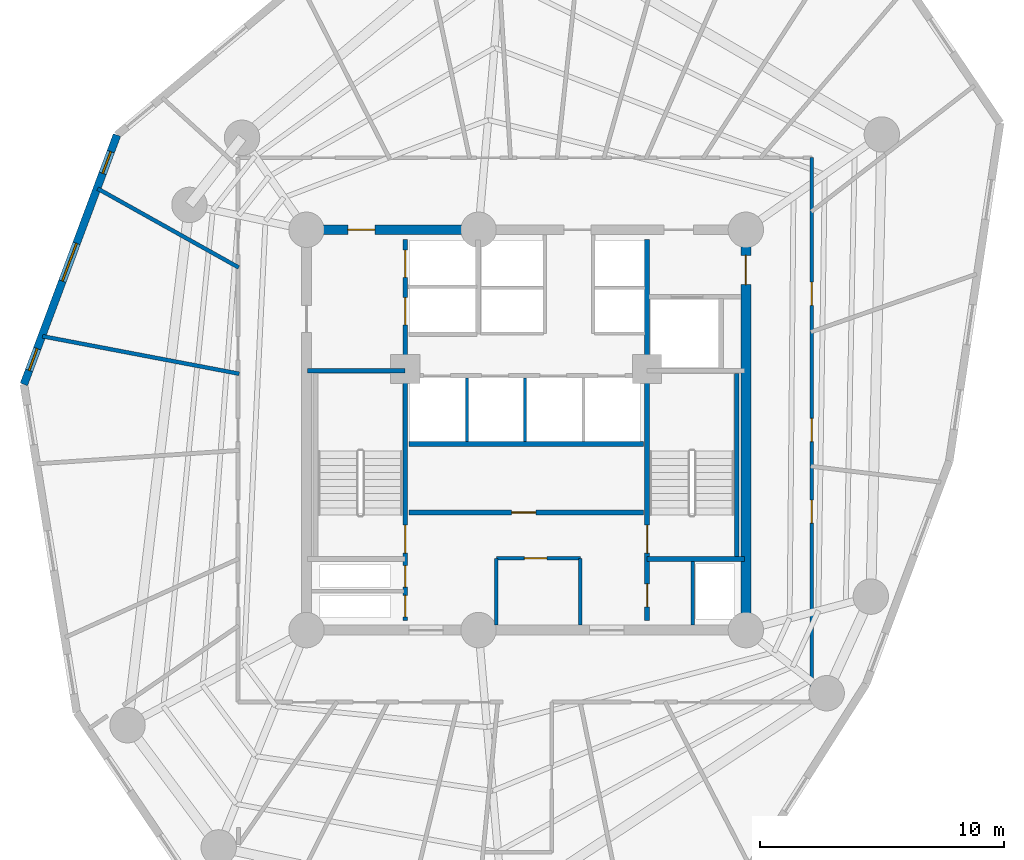
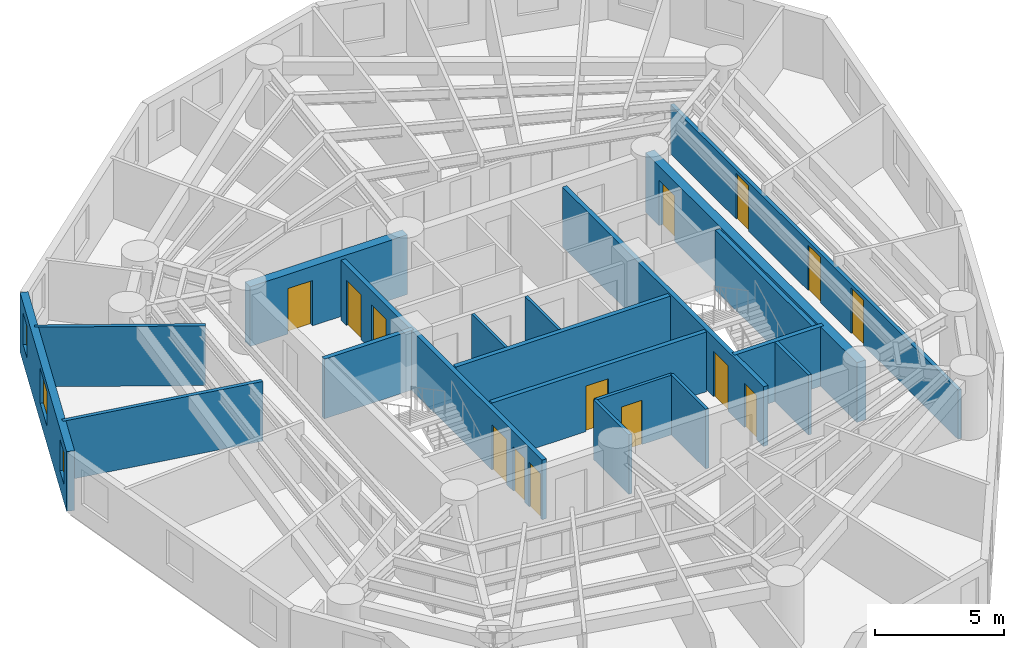
# One storey, part 4 of 7: 19 walls, 14 doors, 3 windows, 17 openings.
"""IFC4 building model written with IfcOpenShell, lengths in metres."""

import ifcopenshell
import ifcopenshell.guid

model = None  # the IFC model being written
_history = None  # IfcOwnerHistory: only IFC2X3 demands one
_inside = {}  # id of a spatial element -> (the spatial element, [elements in it])
_under = {}  # id of a project, library or spatial element -> (it, [spatial elements below it])
_declared = {}  # id of a project -> (the project, [libraries it declares])
_typed = {}  # id of a type object -> (the type object, [elements of that type])
_made_of = {}  # id of a material, layer set ... -> (it, [elements and type objects made of it])


def new_model(schema):
    """Start an empty IFC model of exactly this schema.

    Asked for "IFC4X3", IfcOpenShell would pick the latest addendum, in which some entities
    have other attributes; the version numbers below select the first issue.
    IFC2X3 requires an IfcOwnerHistory on every rooted entity: one is made here for all.
    """
    global model, _history
    if schema == "IFC4X3":
        model = ifcopenshell.file(schema_version=(4, 3, 0, 0))
    else:
        model = ifcopenshell.file(schema=schema)
    _inside.clear()
    _under.clear()
    _declared.clear()
    _typed.clear()
    _made_of.clear()
    _history = None
    if model.schema == "IFC2X3":
        org = make("IfcOrganization", Name="unknown")
        user = make(
            "IfcPersonAndOrganization",
            ThePerson=make("IfcPerson", FamilyName="unknown"),
            TheOrganization=org,
        )
        app = make(
            "IfcApplication",
            ApplicationDeveloper=org,
            Version="unknown",
            ApplicationFullName="unknown",
            ApplicationIdentifier="unknown",
        )
        _history = make(
            "IfcOwnerHistory",
            OwningUser=user,
            OwningApplication=app,
            ChangeAction="ADDED",
            CreationDate=0,
        )
    return model


def make(cls, **values):
    """One entity of the class cls with the attributes given. An attribute that is None is left unset."""
    return model.create_entity(
        cls, **{name: value for name, value in values.items() if value is not None}
    )


def rooted(cls, **values):
    """An entity with a GlobalId (a new one), such as an element, a storey or a relation."""
    return make(cls, GlobalId=ifcopenshell.guid.new(), OwnerHistory=_history, **values)


def si_unit(unit_type, name, prefix=None):
    """IfcSIUnit, for example si_unit("LENGTHUNIT", "METRE", prefix="MILLI")."""
    return make("IfcSIUnit", UnitType=unit_type, Prefix=prefix, Name=name)


def assignment(units):
    """IfcUnitAssignment: the units of a project."""
    return None if units is None else make("IfcUnitAssignment", Units=units)


def point(xyz):
    """IfcCartesianPoint."""
    return None if xyz is None else make("IfcCartesianPoint", Coordinates=xyz)


def direction(xyz):
    """IfcDirection."""
    return None if xyz is None else make("IfcDirection", DirectionRatios=xyz)


def frame(location, z_axis=None, x_axis=None):
    """IfcAxis2Placement3D, a coordinate frame: its origin and axes. An axis left out is left unset."""
    return make(
        "IfcAxis2Placement3D",
        Location=point(location),
        Axis=direction(z_axis),
        RefDirection=direction(x_axis),
    )


def frame_2d(location, x_axis=None):
    """IfcAxis2Placement2D, a coordinate frame in the plane: its origin and x axis."""
    return make(
        "IfcAxis2Placement2D", Location=point(location), RefDirection=direction(x_axis)
    )


def origin():
    """The frame at (0, 0, 0) with its axes left unset."""
    return frame((0.0, 0.0, 0.0))


def origin_with_axes():
    """The frame at (0, 0, 0) with the z axis (0, 0, 1) and the x axis (1, 0, 0) written out."""
    return frame((0.0, 0.0, 0.0), z_axis=(0.0, 0.0, 1.0), x_axis=(1.0, 0.0, 0.0))


def place(relative_to, where):
    """IfcLocalPlacement: puts the frame where relative to a parent placement (None: the world)."""
    return make(
        "IfcLocalPlacement", PlacementRelTo=relative_to, RelativePlacement=where
    )


def context(
    kind, dimensions, precision=None, world=None, true_north=None, identifier=None
):
    """IfcGeometricRepresentationContext, for example the 3D "Model" context."""
    return make(
        "IfcGeometricRepresentationContext",
        ContextIdentifier=identifier,
        ContextType=kind,
        CoordinateSpaceDimension=dimensions,
        Precision=precision,
        WorldCoordinateSystem=world,
        TrueNorth=true_north,
    )


def subcontext(parent, identifier, kind, view, scale=None):
    """IfcGeometricRepresentationSubContext, for example "Body" below "Model"."""
    return make(
        "IfcGeometricRepresentationSubContext",
        ContextIdentifier=identifier,
        ContextType=kind,
        ParentContext=parent,
        TargetScale=scale,
        TargetView=view,
    )


def project(units=None, contexts=None):
    """IfcProject with its units and contexts."""
    return rooted(
        "IfcProject",
        Name="project",
        RepresentationContexts=contexts,
        UnitsInContext=assignment(units),
    )


def spatial(cls, under=None, at=None, **own):
    """A site, building, storey or space (cls), placed at a placement, below another one or the project."""
    s = rooted(cls, ObjectPlacement=at, **own)
    if under is not None:
        _under.setdefault(under.id(), (under, []))[1].append(s)
    return s


def profile(cls, at=None, kind="AREA", **sizes):
    """A parametric profile (cls). Its sizes go by their IFC names, for example OverallWidth=200.0."""
    return make(cls, ProfileType=kind, Position=at, **sizes)


def rectangle(**sizes):
    """IfcRectangleProfileDef."""
    return profile("IfcRectangleProfileDef", **sizes)


def extrude(swept, where, along, depth):
    """IfcExtrudedAreaSolid: the profile swept, set in the frame where, extruded along a direction by depth."""
    return make(
        "IfcExtrudedAreaSolid",
        SweptArea=swept,
        Position=where,
        ExtrudedDirection=direction(along),
        Depth=depth,
    )


def shape(context_of_items, identifier, shape_type, items):
    """IfcShapeRepresentation: the items that make up one representation, for example the "Body"."""
    return make(
        "IfcShapeRepresentation",
        ContextOfItems=context_of_items,
        RepresentationIdentifier=identifier,
        RepresentationType=shape_type,
        Items=items,
    )


def source(mapping_origin, context_of_items, identifier, shape_type, items):
    """IfcRepresentationMap: a shape defined once, which mapped items show again and again."""
    return make(
        "IfcRepresentationMap",
        MappingOrigin=mapping_origin,
        MappedRepresentation=shape(context_of_items, identifier, shape_type, items),
    )


def transform(
    local_origin,
    x_axis=None,
    y_axis=None,
    z_axis=None,
    scale=None,
    scale2=None,
    scale3=None,
    uniform=True,
):
    """IfcCartesianTransformationOperator3D, or its non-uniform kind. x_axis, y_axis, z_axis: its Axis1, 2, 3."""
    if uniform:
        return make(
            "IfcCartesianTransformationOperator3D",
            Axis1=direction(x_axis),
            Axis2=direction(y_axis),
            LocalOrigin=point(local_origin),
            Scale=scale,
            Axis3=direction(z_axis),
        )
    return make(
        "IfcCartesianTransformationOperator3DnonUniform",
        Axis1=direction(x_axis),
        Axis2=direction(y_axis),
        LocalOrigin=point(local_origin),
        Scale=scale,
        Axis3=direction(z_axis),
        Scale2=scale2,
        Scale3=scale3,
    )


def mapped(mapping_source, mapping_target):
    """IfcMappedItem: shows the shape of a source again, moved by a transform."""
    return make(
        "IfcMappedItem", MappingSource=mapping_source, MappingTarget=mapping_target
    )


def material(Name=None, Category=None):
    """IfcMaterial."""
    return make("IfcMaterial", Name=Name, Category=Category)


def layer(
    of_material, thickness, ventilated=None, Name=None, Category=None, Priority=None
):
    """IfcMaterialLayer: one layer of a wall or slab, of a material (None: an air gap)."""
    return make(
        "IfcMaterialLayer",
        Material=of_material,
        LayerThickness=thickness,
        IsVentilated=ventilated,
        Name=Name,
        Category=Category,
        Priority=Priority,
    )


def layer_set(layers, Name=None):
    """IfcMaterialLayerSet."""
    return make("IfcMaterialLayerSet", MaterialLayers=layers, LayerSetName=Name)


def made_of(thing, what):
    """Note that an element or type object is made of a material, layer set ...; save() writes the relation."""
    if what is not None:
        _made_of.setdefault(what.id(), (what, []))[1].append(thing)
    return thing


def type_object(cls, material=None, **own):
    """A type object (cls), such as IfcWallType, which elements share."""
    return made_of(rooted(cls, **own), material)


def element(
    cls,
    number,
    at=None,
    inside=None,
    cuts=None,
    type_object=None,
    material=None,
    context=None,
    identifier="Body",
    shape_type=None,
    held_by="IfcProductDefinitionShape",
    body=None,
    shapes=None,
    **own,
):
    """One element of the class cls, such as IfcWall. Its Tag is "e" and its number.

    at: its placement. inside: the storey or other place that contains it. cuts: it is an
    opening in that element (IfcRelVoidsElement). A single representation is given by context,
    identifier, shape_type and body (its items); several are given by shapes. held_by: the class
    of the entity that holds the representations. save() writes the other relations.
    """
    e = rooted(cls, Tag="e%d" % number, ObjectPlacement=at, **own)
    if body is not None:
        shapes = [shape(context, identifier, shape_type, body)]
    if shapes is not None:
        e.Representation = make(held_by, Representations=shapes)
    if inside is not None:
        _inside.setdefault(inside.id(), (inside, []))[1].append(e)
    if cuts is not None:
        rooted(
            "IfcRelVoidsElement", RelatingBuildingElement=cuts, RelatedOpeningElement=e
        )
    if type_object is not None:
        _typed.setdefault(type_object.id(), (type_object, []))[1].append(e)
    return made_of(e, material)


def fill(opening, filler):
    """IfcRelFillsElement: the door or window that sits in an opening."""
    return rooted(
        "IfcRelFillsElement",
        RelatingOpeningElement=opening,
        RelatedBuildingElement=filler,
    )


def aggregate(whole, parts):
    """IfcRelAggregates: a whole, such as a stair, and the parts it consists of."""
    return rooted("IfcRelAggregates", RelatingObject=whole, RelatedObjects=parts)


def save(model, path):
    """Write the relations noted so far, then the file.

    IfcRelAggregates (storeys below a building ...), IfcRelContainedInSpatialStructure (elements
    in a storey), IfcRelDefinesByType, IfcRelAssociatesMaterial and IfcRelDeclares: one each for
    every whole, place, type object, material and project.
    """
    for whole, parts in _under.values():
        aggregate(whole, parts)
    for where, things in _inside.values():
        rooted(
            "IfcRelContainedInSpatialStructure",
            RelatedElements=things,
            RelatingStructure=where,
        )
    for kind, things in _typed.values():
        rooted("IfcRelDefinesByType", RelatedObjects=things, RelatingType=kind)
    for what, things in _made_of.values():
        rooted("IfcRelAssociatesMaterial", RelatedObjects=things, RelatingMaterial=what)
    for by, libraries in _declared.values():
        rooted("IfcRelDeclares", RelatingContext=by, RelatedDefinitions=libraries)
    model.write(path)


model = new_model("IFC4")

# Units and contexts
model_context = context("Model", 3, precision=1e-05, world=origin(), true_north=direction((0.0, 1.0)))
body_context = subcontext(model_context, "Body", "Model", "MODEL_VIEW")
ifc_project = project(units=[si_unit("LENGTHUNIT", "METRE"), si_unit("AREAUNIT", "SQUARE_METRE"), si_unit("VOLUMEUNIT", "CUBIC_METRE"), si_unit("PLANEANGLEUNIT", "RADIAN"), si_unit("MASSUNIT", "GRAM", prefix="KILO")], contexts=[model_context])

# Site, building, storey
site_placement = place(None, origin())
site = spatial("IfcSite", under=ifc_project, at=site_placement, CompositionType="ELEMENT")
building_placement = place(site_placement, origin())
building = spatial("IfcBuilding", under=site, at=building_placement, Name="Karkom Vertical University and Central Library", CompositionType="ELEMENT")
storey_placement = place(building_placement, frame((0.0, 0.0, 135.85009765625)))
storey = spatial("IfcBuildingStorey", under=building, at=storey_placement, Name="L38", CompositionType="ELEMENT", Elevation=135.85009765625)

# Wall, openings, windows
ifc_material_1 = material(Name="Brick-faced precast concrete C45/55", Category="masonry")
ifc_layer_1 = layer(ifc_material_1, 0.320068359375)
ifc_layer_set_1 = layer_set([ifc_layer_1], Name="Brick-faced precast concrete C45/55")
wall_type_1 = type_object("IfcWallType", Name="ENV-WL-BRK-320", PredefinedType="SOLIDWALL", material=ifc_layer_set_1)
wall_1_placement = place(storey_placement, frame((11.73876953125, 38.5791015625, 0.0), z_axis=(0.0, 0.0, 1.0), x_axis=(-0.349891213855, -0.936790338586, 0.0)))
wall_1 = element("IfcWall", 1, at=wall_1_placement, inside=storey, type_object=wall_type_1, Name="Level 38 Brick-Faced Precast Facade Wall 01", PredefinedType="SOLIDWALL", context=body_context, shape_type="SweptSolid", body=[
    extrude(rectangle(XDim=10.902587890625, YDim=0.320068359375, at=frame_2d((5.451171875, 0.0))), origin(), (0.0, 0.0, 1.0), 2.824951171875),
])
opening_1_placement = place(wall_1_placement, frame((0.723876953125, 0.0, 0.85009765625)))
opening_1 = element("IfcOpeningElement", 2, at=opening_1_placement, cuts=wall_1, Name="Opening WN-12", PredefinedType="OPENING", context=body_context, shape_type="SweptSolid", body=[
    extrude(rectangle(XDim=0.949951171875, YDim=1.5, at=frame_2d((0.47509765625, 0.75))), frame((0.0, 0.169921875, 0.0), z_axis=(0.0, -1.0, 0.0), x_axis=(1.0, 0.0, 0.0)), (0.0, 0.0, 1.0), 0.340087890625),
])
opening_2_placement = place(wall_1_placement, frame((4.735595703125, 0.0, 0.85009765625)))
opening_2 = element("IfcOpeningElement", 3, at=opening_2_placement, cuts=wall_1, Name="Opening WN-06", PredefinedType="OPENING", context=body_context, shape_type="SweptSolid", body=[
    extrude(rectangle(XDim=1.64990234375, YDim=1.64990234375, at=frame_2d((0.824951171875, 0.824951171875))), frame((0.0, 0.169921875, 0.0), z_axis=(0.0, -1.0, 0.0), x_axis=(1.0, 0.0, 0.0)), (0.0, 0.0, 1.0), 0.340087890625),
])
opening_3_placement = place(wall_1_placement, frame((9.337890625, 0.0, 0.85009765625)))
opening_3 = element("IfcOpeningElement", 4, at=opening_3_placement, cuts=wall_1, Name="Opening WN-12", PredefinedType="OPENING", context=body_context, shape_type="SweptSolid", body=[
    extrude(rectangle(XDim=0.949951171875, YDim=1.5, at=frame_2d((0.47509765625, 0.75))), frame((0.0, 0.169921875, 0.0), z_axis=(0.0, -1.0, 0.0), x_axis=(1.0, 0.0, 0.0)), (0.0, 0.0, 1.0), 0.340087890625),
])
ifc_material_2 = material(Name="Aluminium thermal-break frame with solar-control IGU", Category="aluminium")
window_type_1 = type_object("IfcWindowType", Name="ENV-WIN-WN-06", PartitioningType="SINGLE_PANEL", PredefinedType="WINDOW", material=ifc_material_2)
shared_shape_1 = source(origin_with_axes(), body_context, "Body", "SweptSolid", [
    extrude(rectangle(XDim=1.64990234375, YDim=1.64990234375, at=frame_2d((0.824951171875, 0.824951171875))), frame((0.0, 0.030029296875, 0.0), z_axis=(0.0, -1.0, 0.0), x_axis=(1.0, 0.0, 0.0)), (0.0, 0.0, 1.0), 0.06005859375),
])
window_1_placement = place(opening_2_placement, origin())
window_1 = element("IfcWindow", 5, at=window_1_placement, inside=storey, type_object=window_type_1, Name="Level 38 Punched Window 1.2", OverallHeight=1.64990234375, OverallWidth=1.64990234375, PartitioningType="SINGLE_PANEL", PredefinedType="WINDOW", context=body_context, shape_type="MappedRepresentation", body=[
    mapped(shared_shape_1, transform((0.0, 0.0, 0.0), scale=1.0)),
])
fill(opening_2, window_1)
window_type_2 = type_object("IfcWindowType", Name="ENV-WIN-WN-12", PartitioningType="SINGLE_PANEL", PredefinedType="WINDOW", material=ifc_material_2)
shared_shape_2 = source(origin_with_axes(), body_context, "Body", "SweptSolid", [
    extrude(rectangle(XDim=0.949951171875, YDim=1.5, at=frame_2d((0.47509765625, 0.75))), frame((0.0, 0.030029296875, 0.0), z_axis=(0.0, -1.0, 0.0), x_axis=(1.0, 0.0, 0.0)), (0.0, 0.0, 1.0), 0.06005859375),
])
window_2_placement = place(opening_1_placement, origin())
window_2 = element("IfcWindow", 6, at=window_2_placement, inside=storey, type_object=window_type_2, Name="Level 38 Punched Window 1.1", OverallHeight=1.5, OverallWidth=0.949951171875, PartitioningType="SINGLE_PANEL", PredefinedType="WINDOW", context=body_context, shape_type="MappedRepresentation", body=[
    mapped(shared_shape_2, transform((0.0, 0.0, 0.0), scale=1.0)),
])
fill(opening_1, window_2)
window_3_placement = place(opening_3_placement, origin())
window_3 = element("IfcWindow", 7, at=window_3_placement, inside=storey, type_object=window_type_2, Name="Level 38 Punched Window 1.3", OverallHeight=1.5, OverallWidth=0.949951171875, PartitioningType="SINGLE_PANEL", PredefinedType="WINDOW", context=body_context, shape_type="MappedRepresentation", body=[
    mapped(shared_shape_2, transform((0.0, 0.0, 0.0), scale=1.0)),
])
fill(opening_3, window_3)

# Wall, openings, doors
ifc_material_3 = material(Name="Insulated metal-stud drywall 160mm", Category="gypsum")
ifc_layer_2 = layer(ifc_material_3, 0.159912109375)
ifc_layer_set_2 = layer_set([ifc_layer_2], Name="Insulated metal-stud drywall 160mm")
wall_type_2 = type_object("IfcWallType", Name="INT-WL-COR-160", PredefinedType="PARTITIONING", material=ifc_layer_set_2)
wall_2_placement = place(storey_placement, frame((40.199951171875, 37.64990234375, 0.0), z_axis=(0.0, 0.0, 1.0), x_axis=(0.0, -1.0, 0.0)))
wall_2 = element("IfcWall", 8, at=wall_2_placement, inside=storey, type_object=wall_type_2, Name="Level 38 Interior Partition Wall L38-CORW-CW-004", PredefinedType="PARTITIONING", context=body_context, shape_type="SweptSolid", body=[
    extrude(rectangle(XDim=22.2998046875, YDim=0.159912109375, at=frame_2d((11.14990234375, 0.0))), origin(), (0.0, 0.0, 1.0), 2.324951171875),
])
opening_4_placement = place(wall_2_placement, frame((14.02001953125, 0.0, 0.0)))
opening_4 = element("IfcOpeningElement", 9, at=opening_4_placement, cuts=wall_2, Name="Opening D-RM1", PredefinedType="OPENING", context=body_context, shape_type="SweptSolid", body=[
    extrude(rectangle(XDim=0.949951171875, YDim=2.14990234375, at=frame_2d((0.47509765625, 1.074951171875))), frame((0.0, 0.08984375, 0.0), z_axis=(0.0, -1.0, 0.0), x_axis=(1.0, 0.0, 0.0)), (0.0, 0.0, 1.0), 0.179931640625),
])
opening_5_placement = place(wall_2_placement, frame((10.675048828125, 0.0, 0.0)))
opening_5 = element("IfcOpeningElement", 10, at=opening_5_placement, cuts=wall_2, Name="Opening D-RM1", PredefinedType="OPENING", context=body_context, shape_type="SweptSolid", body=[
    extrude(rectangle(XDim=0.949951171875, YDim=2.14990234375, at=frame_2d((0.47509765625, 1.074951171875))), frame((0.0, 0.08984375, 0.0), z_axis=(0.0, -1.0, 0.0), x_axis=(1.0, 0.0, 0.0)), (0.0, 0.0, 1.0), 0.179931640625),
])
opening_6_placement = place(wall_2_placement, frame((5.10009765625, 0.0, 0.0)))
opening_6 = element("IfcOpeningElement", 11, at=opening_6_placement, cuts=wall_2, Name="Opening D-RM1", PredefinedType="OPENING", context=body_context, shape_type="SweptSolid", body=[
    extrude(rectangle(XDim=0.949951171875, YDim=2.14990234375, at=frame_2d((0.47509765625, 1.074951171875))), frame((0.0, 0.08984375, 0.0), z_axis=(0.0, -1.0, 0.0), x_axis=(1.0, 0.0, 0.0)), (0.0, 0.0, 1.0), 0.179931640625),
])
ifc_material_4 = material(Name="Solid-core oak veneer door", Category="wood")
door_type_1 = type_object("IfcDoorType", Name="INT-DR-RM1", OperationType="NOTDEFINED", PredefinedType="DOOR", material=ifc_material_4)
shared_shape_3 = source(origin_with_axes(), body_context, "Body", "SweptSolid", [
    extrude(rectangle(XDim=0.949951171875, YDim=2.14990234375, at=frame_2d((0.47509765625, 1.074951171875))), frame((0.0, 0.02490234375, 0.0), z_axis=(0.0, -1.0, 0.0), x_axis=(1.0, 0.0, 0.0)), (0.0, 0.0, 1.0), 0.050048828125),
])
door_1_placement = place(opening_4_placement, origin())
door_1 = element("IfcDoor", 12, at=door_1_placement, inside=storey, type_object=door_type_1, Name="Level 38 Room Entry Door 090", OperationType="SINGLE_SWING_RIGHT", OverallHeight=2.14990234375, OverallWidth=0.949951171875, PredefinedType="DOOR", context=body_context, shape_type="MappedRepresentation", body=[
    mapped(shared_shape_3, transform((0.0, 0.0, 0.0), scale=1.0)),
])
fill(opening_4, door_1)
door_2_placement = place(opening_5_placement, origin())
door_2 = element("IfcDoor", 13, at=door_2_placement, inside=storey, type_object=door_type_1, Name="Level 38 Room Entry Door 100", OperationType="SINGLE_SWING_LEFT", OverallHeight=2.14990234375, OverallWidth=0.949951171875, PredefinedType="DOOR", context=body_context, shape_type="MappedRepresentation", body=[
    mapped(shared_shape_3, transform((0.0, 0.0, 0.0), scale=1.0)),
])
fill(opening_5, door_2)
door_3_placement = place(opening_6_placement, origin())
door_3 = element("IfcDoor", 14, at=door_3_placement, inside=storey, type_object=door_type_1, Name="Level 38 Room Entry Door 110", OperationType="SINGLE_SWING_RIGHT", OverallHeight=2.14990234375, OverallWidth=0.949951171875, PredefinedType="DOOR", context=body_context, shape_type="MappedRepresentation", body=[
    mapped(shared_shape_3, transform((0.0, 0.0, 0.0), scale=1.0)),
])
fill(opening_6, door_3)

# Walls
wall_3_placement = place(storey_placement, frame((16.744140625, 28.80126953125, 0.0), z_axis=(0.0, 0.0, 1.0), x_axis=(-0.982325015024, 0.187183238719, 0.0)))
element("IfcWall", 15, at=wall_3_placement, inside=storey, type_object=wall_type_2, Name="Level 38 Interior Partition Wall L38-PW-027", PredefinedType="PARTITIONING", context=body_context, shape_type="SweptSolid", body=[
    extrude(rectangle(XDim=8.201416015625, YDim=0.159912109375, at=frame_2d((4.1005859375, 0.0))), origin(), (0.0, 0.0, 1.0), 2.824951171875),
])
wall_4_placement = place(storey_placement, frame((16.726318359375, 33.1533203125, 0.0), z_axis=(0.0, 0.0, 1.0), x_axis=(-0.87280260427, 0.488073369464, 0.0)))
element("IfcWall", 16, at=wall_4_placement, inside=storey, type_object=wall_type_2, Name="Level 38 Interior Partition Wall L38-PW-026", PredefinedType="PARTITIONING", context=body_context, shape_type="SweptSolid", body=[
    extrude(rectangle(XDim=6.621826171875, YDim=0.159912109375, at=frame_2d((3.31103515625, 0.0))), origin(), (0.0, 0.0, 1.0), 2.824951171875),
])
ifc_material_5 = material(Name="Moisture-resistant drywall 120mm", Category="gypsum")
ifc_layer_3 = layer(ifc_material_5, 0.1201171875)
ifc_layer_set_3 = layer_set([ifc_layer_3], Name="Moisture-resistant drywall 120mm")
wall_type_3 = type_object("IfcWallType", Name="INT-WL-INT-120H", PredefinedType="PARTITIONING", material=ifc_layer_set_3)
for number, where, z_axis, x_axis, name in (
    (17, (26.080078125, 26.02001953125, 0.0), (0.0, 0.0, 1.0), (0.0, 1.0, 0.0), "Level 38 Interior Partition Wall L38-CW-PM-DIV1"),
    (18, (28.4599609375, 26.02001953125, 0.0), (0.0, 0.0, 1.0), (0.0, 1.0, 0.0), "Level 38 Interior Partition Wall L38-CW-PM-DIV2"),
):
    element("IfcWall", number, at=place(storey_placement, frame(where, z_axis=z_axis, x_axis=x_axis)), inside=storey, type_object=wall_type_3, Name=name, PredefinedType="PARTITIONING", context=body_context, shape_type="SweptSolid", body=[
        extrude(rectangle(XDim=2.60009765625, YDim=0.1201171875, at=frame_2d((1.300048828125, 0.0))), origin(), (0.0, 0.0, 1.0), 2.824951171875),
    ])

# Wall, opening, door
ifc_material_6 = material(Name="Metal-stud gypsum partition 140mm", Category="gypsum")
ifc_layer_4 = layer(ifc_material_6, 0.139892578125)
ifc_layer_set_4 = layer_set([ifc_layer_4], Name="Metal-stud gypsum partition 140mm")
wall_type_4 = type_object("IfcWallType", Name="INT-WL-SUB-140", PredefinedType="PARTITIONING", material=ifc_layer_set_4)
wall_5_placement = place(storey_placement, frame((27.280029296875, 21.239990234375, 0.0), z_axis=(0.0, 0.0, 1.0), x_axis=(1.0, 0.0, 0.0)))
wall_5 = element("IfcWall", 19, at=wall_5_placement, inside=storey, type_object=wall_type_4, Name="Level 38 Interior Partition Wall L38-CW-KBAY-N", PredefinedType="PARTITIONING", context=body_context, shape_type="SweptSolid", body=[
    extrude(rectangle(XDim=3.43994140625, YDim=0.139892578125, at=frame_2d((1.719970703125, 0.0))), origin(), (0.0, 0.0, 1.0), 2.824951171875),
])
opening_7_placement = place(wall_5_placement, frame((1.14990234375, 0.0, 0.0)))
opening_7 = element("IfcOpeningElement", 20, at=opening_7_placement, cuts=wall_5, Name="Opening D-SVC1", PredefinedType="OPENING", context=body_context, shape_type="SweptSolid", body=[
    extrude(rectangle(XDim=0.919921875, YDim=2.10009765625, at=frame_2d((0.4599609375, 1.050048828125))), frame((0.0, 0.080078125, 0.0), z_axis=(0.0, -1.0, 0.0), x_axis=(1.0, 0.0, 0.0)), (0.0, 0.0, 1.0), 0.159912109375),
])
ifc_material_7 = material(Name="Painted timber service door", Category="wood")
door_type_2 = type_object("IfcDoorType", Name="INT-DR-SVC1", OperationType="NOTDEFINED", PredefinedType="DOOR", material=ifc_material_7)
shared_shape_4 = source(origin_with_axes(), body_context, "Body", "SweptSolid", [
    extrude(rectangle(XDim=0.919921875, YDim=2.10009765625, at=frame_2d((0.4599609375, 1.050048828125))), frame((0.0, 0.02490234375, 0.0), z_axis=(0.0, -1.0, 0.0), x_axis=(1.0, 0.0, 0.0)), (0.0, 0.0, 1.0), 0.050048828125),
])
door_4_placement = place(opening_7_placement, origin())
door_4 = element("IfcDoor", 21, at=door_4_placement, inside=storey, type_object=door_type_2, Name="Level 38 Comms Room Door", OperationType="SINGLE_SWING_RIGHT", OverallHeight=2.10009765625, OverallWidth=0.919921875, PredefinedType="DOOR", context=body_context, shape_type="MappedRepresentation", body=[
    mapped(shared_shape_4, transform((0.0, 0.0, 0.0), scale=1.0)),
])
fill(opening_7, door_4)

# Walls
for number, where, z_axis, x_axis, name in (
    (22, (27.280029296875, 18.507080078125, 0.0), (0.0, 0.0, 1.0), (0.0, 1.0, 0.0), "Level 38 Interior Partition Wall L38-CW-KBAY-W"),
    (23, (30.719970703125, 18.507080078125, 0.0), (0.0, 0.0, 1.0), (0.0, 1.0, 0.0), "Level 38 Interior Partition Wall L38-CW-KBAY-E"),
):
    element("IfcWall", number, at=place(storey_placement, frame(where, z_axis=z_axis, x_axis=x_axis)), inside=storey, type_object=wall_type_4, Name=name, PredefinedType="PARTITIONING", context=body_context, shape_type="SweptSolid", body=[
        extrude(rectangle(XDim=2.73291015625, YDim=0.139892578125, at=frame_2d((1.366455078125, 0.0))), origin(), (0.0, 0.0, 1.0), 2.824951171875),
    ])
ifc_layer_5 = layer(ifc_material_6, 0.139892578125)
ifc_layer_set_5 = layer_set([ifc_layer_5], Name="Metal-stud gypsum partition 140mm")
wall_type_5 = type_object("IfcWallType", Name="INT-WL-SUB-140H", PredefinedType="PARTITIONING", material=ifc_layer_set_5)
wall_6_placement = place(storey_placement, frame((35.320068359375, 18.507080078125, 0.0), z_axis=(0.0, 0.0, 1.0), x_axis=(0.0, 1.0, 0.0)))
element("IfcWall", 24, at=wall_6_placement, inside=storey, type_object=wall_type_5, Name="Level 38 Interior Partition Wall L38-CW-RIS-E", PredefinedType="PARTITIONING", context=body_context, shape_type="SweptSolid", body=[
    extrude(rectangle(XDim=2.603759765625, YDim=0.139892578125, at=frame_2d((1.3017578125, 0.0))), origin(), (0.0, 0.0, 1.0), 2.824951171875),
])

# Wall, opening, door
ifc_material_8 = material(Name="Concrete C50/60", Category="concrete")
ifc_layer_6 = layer(ifc_material_8, 0.39990234375)
ifc_layer_set_6 = layer_set([ifc_layer_6], Name="Concrete C50/60")
wall_type_6 = type_object("IfcWallType", Name="STR-WL-CW-400", PredefinedType="SHEAR", material=ifc_layer_set_6)
wall_7_placement = place(storey_placement, frame((37.5, 18.300048828125, 0.0), z_axis=(0.0, 0.0, 1.0), x_axis=(0.0, 1.0, 0.0)))
wall_7 = element("IfcWall", 25, at=wall_7_placement, inside=storey, type_object=wall_type_6, Name="Level 38 Central Core Shear Wall EW", PredefinedType="SHEAR", context=body_context, shape_type="SweptSolid", body=[
    extrude(rectangle(XDim=16.39990234375, YDim=0.39990234375, at=frame_2d((8.199951171875, 0.0))), origin(), (0.0, 0.0, 1.0), 2.824951171875),
])
opening_8_placement = place(wall_7_placement, frame((14.14990234375, 0.0, 0.0)))
opening_8 = element("IfcOpeningElement", 26, at=opening_8_placement, cuts=wall_7, Name="Opening FD-SUB1", PredefinedType="OPENING", context=body_context, shape_type="SweptSolid", body=[
    extrude(rectangle(XDim=1.199951171875, YDim=2.14990234375, at=frame_2d((0.60009765625, 1.074951171875))), frame((0.0, 0.2099609375, 0.0), z_axis=(0.0, -1.0, 0.0), x_axis=(1.0, 0.0, 0.0)), (0.0, 0.0, 1.0), 0.419921875),
])
ifc_material_9 = material(Name="Painted steel fire door", Category="steel")
door_type_3 = type_object("IfcDoorType", Name="INT-DR-SUB1", OperationType="NOTDEFINED", PredefinedType="DOOR", material=ifc_material_9)
shared_shape_5 = source(origin_with_axes(), body_context, "Body", "SweptSolid", [
    extrude(rectangle(XDim=1.199951171875, YDim=2.14990234375, at=frame_2d((0.60009765625, 1.074951171875))), frame((0.0, 0.02490234375, 0.0), z_axis=(0.0, -1.0, 0.0), x_axis=(1.0, 0.0, 0.0)), (0.0, 0.0, 1.0), 0.050048828125),
])
door_5_placement = place(opening_8_placement, origin())
door_5 = element("IfcDoor", 27, at=door_5_placement, inside=storey, type_object=door_type_3, Name="Level 38 East Corridor Service Lobby Door", OperationType="SINGLE_SWING_LEFT", OverallHeight=2.14990234375, OverallWidth=1.199951171875, PredefinedType="DOOR", context=body_context, shape_type="MappedRepresentation", body=[
    mapped(shared_shape_5, transform((0.0, 0.0, 0.0), scale=1.0)),
])
fill(opening_8, door_5)

wall_8_placement = place(storey_placement, frame((26.550048828125, 34.699951171875, 0.0), z_axis=(0.0, 0.0, 1.0), x_axis=(-1.0, 0.0, 0.0)))
wall_8 = element("IfcWall", 28, at=wall_8_placement, inside=storey, type_object=wall_type_6, Name="Level 38 Central Core Shear Wall NW2", PredefinedType="SHEAR", context=body_context, shape_type="SweptSolid", body=[
    extrude(rectangle(XDim=7.050048828125, YDim=0.39990234375, at=frame_2d((3.52490234375, 0.0))), origin(), (0.0, 0.0, 1.0), 2.824951171875),
])
opening_9_placement = place(wall_8_placement, frame((4.25, 0.0, 0.0)))
opening_9 = element("IfcOpeningElement", 29, at=opening_9_placement, cuts=wall_8, Name="Opening FD-FFL", PredefinedType="OPENING", context=body_context, shape_type="SweptSolid", body=[
    extrude(rectangle(XDim=1.10009765625, YDim=2.14990234375, at=frame_2d((0.550048828125, 1.074951171875))), frame((0.0, 0.2099609375, 0.0), z_axis=(0.0, -1.0, 0.0), x_axis=(1.0, 0.0, 0.0)), (0.0, 0.0, 1.0), 0.419921875),
])
ifc_material_10 = material(Name="Painted steel smoke-seal fire door", Category="steel")
door_type_4 = type_object("IfcDoorType", Name="INT-DR-FFL", OperationType="NOTDEFINED", PredefinedType="DOOR", material=ifc_material_10)
shared_shape_6 = source(origin_with_axes(), body_context, "Body", "SweptSolid", [
    extrude(rectangle(XDim=1.10009765625, YDim=2.14990234375, at=frame_2d((0.550048828125, 1.074951171875))), frame((0.0, 0.02490234375, 0.0), z_axis=(0.0, -1.0, 0.0), x_axis=(1.0, 0.0, 0.0)), (0.0, 0.0, 1.0), 0.050048828125),
])
door_6_placement = place(opening_9_placement, origin())
door_6 = element("IfcDoor", 30, at=door_6_placement, inside=storey, type_object=door_type_4, Name="Level 38 Firefighting Lobby Door", OperationType="SINGLE_SWING_LEFT", OverallHeight=2.14990234375, OverallWidth=1.10009765625, PredefinedType="DOOR", context=body_context, shape_type="MappedRepresentation", body=[
    mapped(shared_shape_6, transform((0.0, 0.0, 0.0), scale=1.0)),
])
fill(opening_9, door_6)

# Wall, openings, doors
ifc_material_11 = material(Name="Concrete C45/55", Category="concrete")
ifc_layer_7 = layer(ifc_material_11, 0.199951171875)
ifc_layer_set_7 = layer_set([ifc_layer_7], Name="Concrete C45/55")
wall_type_7 = type_object("IfcWallType", Name="STR-WL-ST-200", PredefinedType="SHEAR", material=ifc_layer_set_7)
wall_9_placement = place(storey_placement, frame((23.544921875, 18.699951171875, 0.0), z_axis=(0.0, 0.0, 1.0), x_axis=(0.0, 1.0, 0.0)))
wall_9 = element("IfcWall", 31, at=wall_9_placement, inside=storey, type_object=wall_type_7, Name="Level 38 Core Shaft Wall L38-CW-ST1-E", PredefinedType="SHEAR", context=body_context, shape_type="SweptSolid", body=[
    extrude(rectangle(XDim=15.60009765625, YDim=0.199951171875, at=frame_2d((7.800048828125, 0.0))), origin(), (0.0, 0.0, 1.0), 2.824951171875),
])
opening_10_placement = place(wall_9_placement, frame((2.75, 0.0, 0.0)))
opening_10 = element("IfcOpeningElement", 32, at=opening_10_placement, cuts=wall_9, Name="Opening FD-ST1", PredefinedType="OPENING", context=body_context, shape_type="SweptSolid", body=[
    extrude(rectangle(XDim=1.14990234375, YDim=2.14990234375, at=frame_2d((0.574951171875, 1.074951171875))), frame((0.0, 0.10986328125, 0.0), z_axis=(0.0, -1.0, 0.0), x_axis=(1.0, 0.0, 0.0)), (0.0, 0.0, 1.0), 0.219970703125),
])
opening_11_placement = place(wall_9_placement, frame((0.139892578125, 0.0, 0.0)))
opening_11 = element("IfcOpeningElement", 33, at=opening_11_placement, cuts=wall_9, Name="Opening FD-RIS", PredefinedType="OPENING", context=body_context, shape_type="SweptSolid", body=[
    extrude(rectangle(XDim=0.8798828125, YDim=2.10009765625, at=frame_2d((0.43994140625, 1.050048828125))), frame((0.0, 0.10986328125, 0.0), z_axis=(0.0, -1.0, 0.0), x_axis=(1.0, 0.0, 0.0)), (0.0, 0.0, 1.0), 0.219970703125),
])
opening_12_placement = place(wall_9_placement, frame((1.360107421875, 0.0, 0.0)))
opening_12 = element("IfcOpeningElement", 34, at=opening_12_placement, cuts=wall_9, Name="Opening FD-RIS", PredefinedType="OPENING", context=body_context, shape_type="SweptSolid", body=[
    extrude(rectangle(XDim=0.8798828125, YDim=2.10009765625, at=frame_2d((0.43994140625, 1.050048828125))), frame((0.0, 0.10986328125, 0.0), z_axis=(0.0, -1.0, 0.0), x_axis=(1.0, 0.0, 0.0)), (0.0, 0.0, 1.0), 0.219970703125),
])
opening_13_placement = place(wall_9_placement, frame((12.10009765625, 0.0, 0.0)))
opening_13 = element("IfcOpeningElement", 35, at=opening_13_placement, cuts=wall_9, Name="Opening LD-FFL", PredefinedType="OPENING", context=body_context, shape_type="SweptSolid", body=[
    extrude(rectangle(XDim=1.1201171875, YDim=2.14990234375, at=frame_2d((0.56005859375, 1.074951171875))), frame((0.0, 0.10986328125, 0.0), z_axis=(0.0, -1.0, 0.0), x_axis=(1.0, 0.0, 0.0)), (0.0, 0.0, 1.0), 0.219970703125),
])
opening_14_placement = place(wall_9_placement, frame((14.050048828125, 0.0, 0.0)))
opening_14 = element("IfcOpeningElement", 36, at=opening_14_placement, cuts=wall_9, Name="Opening LD-FFL", PredefinedType="OPENING", context=body_context, shape_type="SweptSolid", body=[
    extrude(rectangle(XDim=1.1201171875, YDim=2.14990234375, at=frame_2d((0.56005859375, 1.074951171875))), frame((0.0, 0.10986328125, 0.0), z_axis=(0.0, -1.0, 0.0), x_axis=(1.0, 0.0, 0.0)), (0.0, 0.0, 1.0), 0.219970703125),
])
ifc_material_12 = material(Name="Painted steel acoustic fire door", Category="steel")
door_type_5 = type_object("IfcDoorType", Name="INT-DR-ST1", OperationType="NOTDEFINED", PredefinedType="DOOR", material=ifc_material_12)
shared_shape_7 = source(origin_with_axes(), body_context, "Body", "SweptSolid", [
    extrude(rectangle(XDim=1.14990234375, YDim=2.14990234375, at=frame_2d((0.574951171875, 1.074951171875))), frame((0.0, 0.02490234375, 0.0), z_axis=(0.0, -1.0, 0.0), x_axis=(1.0, 0.0, 0.0)), (0.0, 0.0, 1.0), 0.050048828125),
])
door_7_placement = place(opening_10_placement, origin())
door_7 = element("IfcDoor", 37, at=door_7_placement, inside=storey, type_object=door_type_5, Name="Level 38 Stair ST-1 Fire Door", OperationType="SINGLE_SWING_LEFT", OverallHeight=2.14990234375, OverallWidth=1.14990234375, PredefinedType="DOOR", context=body_context, shape_type="MappedRepresentation", body=[
    mapped(shared_shape_7, transform((0.0, 0.0, 0.0), scale=1.0)),
])
fill(opening_10, door_7)
ifc_material_13 = material(Name="Painted steel riser access door", Category="steel")
door_type_6 = type_object("IfcDoorType", Name="INT-DR-RIS", OperationType="NOTDEFINED", PredefinedType="DOOR", material=ifc_material_13)
shared_shape_8 = source(origin_with_axes(), body_context, "Body", "SweptSolid", [
    extrude(rectangle(XDim=0.8798828125, YDim=2.10009765625, at=frame_2d((0.43994140625, 1.050048828125))), frame((0.0, 0.02490234375, 0.0), z_axis=(0.0, -1.0, 0.0), x_axis=(1.0, 0.0, 0.0)), (0.0, 0.0, 1.0), 0.050048828125),
])
door_8_placement = place(opening_11_placement, origin())
door_8 = element("IfcDoor", 38, at=door_8_placement, inside=storey, type_object=door_type_6, Name="Level 38 Electrical Riser Access Door", OperationType="SINGLE_SWING_LEFT", OverallHeight=2.10009765625, OverallWidth=0.8798828125, PredefinedType="DOOR", context=body_context, shape_type="MappedRepresentation", body=[
    mapped(shared_shape_8, transform((0.0, 0.0, 0.0), scale=1.0)),
])
fill(opening_11, door_8)
door_9_placement = place(opening_12_placement, origin())
door_9 = element("IfcDoor", 39, at=door_9_placement, inside=storey, type_object=door_type_6, Name="Level 38 Telecom Riser Access Door", OperationType="SINGLE_SWING_RIGHT", OverallHeight=2.10009765625, OverallWidth=0.8798828125, PredefinedType="DOOR", context=body_context, shape_type="MappedRepresentation", body=[
    mapped(shared_shape_8, transform((0.0, 0.0, 0.0), scale=1.0)),
])
fill(opening_12, door_9)
ifc_material_14 = material(Name="Fire-rated stainless-steel landing door", Category="steel")
door_type_7 = type_object("IfcDoorType", Name="INT-DR-LD-FFL", OperationType="SLIDING_TO_LEFT", PredefinedType="DOOR", material=ifc_material_14)
shared_shape_9 = source(origin_with_axes(), body_context, "Body", "SweptSolid", [
    extrude(rectangle(XDim=1.1201171875, YDim=2.14990234375, at=frame_2d((0.56005859375, 1.074951171875))), frame((0.0, 0.02490234375, 0.0), z_axis=(0.0, -1.0, 0.0), x_axis=(1.0, 0.0, 0.0)), (0.0, 0.0, 1.0), 0.050048828125),
])
door_10_placement = place(opening_13_placement, origin())
door_10 = element("IfcDoor", 40, at=door_10_placement, inside=storey, type_object=door_type_7, Name="Level 38 Firefighting Lift FFL-1 Landing Door", OperationType="SLIDING_TO_LEFT", OverallHeight=2.14990234375, OverallWidth=1.1201171875, PredefinedType="DOOR", context=body_context, shape_type="MappedRepresentation", body=[
    mapped(shared_shape_9, transform((0.0, 0.0, 0.0), scale=1.0)),
])
fill(opening_13, door_10)
door_11_placement = place(opening_14_placement, origin())
door_11 = element("IfcDoor", 41, at=door_11_placement, inside=storey, type_object=door_type_7, Name="Level 38 Firefighting Lift FFL-2 Landing Door", OperationType="SLIDING_TO_RIGHT", OverallHeight=2.14990234375, OverallWidth=1.1201171875, PredefinedType="DOOR", context=body_context, shape_type="MappedRepresentation", body=[
    mapped(shared_shape_9, transform((0.0, 0.0, 0.0), scale=1.0)),
])
fill(opening_14, door_11)

wall_10_placement = place(storey_placement, frame((33.455078125, 18.699951171875, 0.0), z_axis=(0.0, 0.0, 1.0), x_axis=(0.0, 1.0, 0.0)))
wall_10 = element("IfcWall", 42, at=wall_10_placement, inside=storey, type_object=wall_type_7, Name="Level 38 Core Shaft Wall L38-CW-ST2-W", PredefinedType="SHEAR", context=body_context, shape_type="SweptSolid", body=[
    extrude(rectangle(XDim=15.60009765625, YDim=0.199951171875, at=frame_2d((7.800048828125, 0.0))), origin(), (0.0, 0.0, 1.0), 2.824951171875),
])
opening_15_placement = place(wall_10_placement, frame((2.75, 0.0, 0.0)))
opening_15 = element("IfcOpeningElement", 43, at=opening_15_placement, cuts=wall_10, Name="Opening FD-ST1", PredefinedType="OPENING", context=body_context, shape_type="SweptSolid", body=[
    extrude(rectangle(XDim=1.14990234375, YDim=2.14990234375, at=frame_2d((0.574951171875, 1.074951171875))), frame((0.0, 0.10986328125, 0.0), z_axis=(0.0, -1.0, 0.0), x_axis=(1.0, 0.0, 0.0)), (0.0, 0.0, 1.0), 0.219970703125),
])
opening_16_placement = place(wall_10_placement, frame((0.550048828125, 0.0, 0.0)))
opening_16 = element("IfcOpeningElement", 44, at=opening_16_placement, cuts=wall_10, Name="Opening D-WC1", PredefinedType="OPENING", context=body_context, shape_type="SweptSolid", body=[
    extrude(rectangle(XDim=0.93994140625, YDim=2.10009765625, at=frame_2d((0.469970703125, 1.050048828125))), frame((0.0, 0.10986328125, 0.0), z_axis=(0.0, -1.0, 0.0), x_axis=(1.0, 0.0, 0.0)), (0.0, 0.0, 1.0), 0.219970703125),
])
door_12_placement = place(opening_15_placement, origin())
door_12 = element("IfcDoor", 45, at=door_12_placement, inside=storey, type_object=door_type_5, Name="Level 38 Stair ST-2 Fire Door", OperationType="SINGLE_SWING_RIGHT", OverallHeight=2.14990234375, OverallWidth=1.14990234375, PredefinedType="DOOR", context=body_context, shape_type="MappedRepresentation", body=[
    mapped(shared_shape_7, transform((0.0, 0.0, 0.0), scale=1.0)),
])
fill(opening_15, door_12)
ifc_material_15 = material(Name="Fire-rated laminate moisture-resistant door", Category="wood")
door_type_8 = type_object("IfcDoorType", Name="INT-DR-WC1", OperationType="NOTDEFINED", PredefinedType="DOOR", material=ifc_material_15)
shared_shape_10 = source(origin_with_axes(), body_context, "Body", "SweptSolid", [
    extrude(rectangle(XDim=0.93994140625, YDim=2.10009765625, at=frame_2d((0.469970703125, 1.050048828125))), frame((0.0, 0.02490234375, 0.0), z_axis=(0.0, -1.0, 0.0), x_axis=(1.0, 0.0, 0.0)), (0.0, 0.0, 1.0), 0.050048828125),
])
door_13_placement = place(opening_16_placement, origin())
door_13 = element("IfcDoor", 46, at=door_13_placement, inside=storey, type_object=door_type_8, Name="Level 38 Accessible WC Door", OperationType="SINGLE_SWING_LEFT", OverallHeight=2.10009765625, OverallWidth=0.93994140625, PredefinedType="DOOR", context=body_context, shape_type="MappedRepresentation", body=[
    mapped(shared_shape_10, transform((0.0, 0.0, 0.0), scale=1.0)),
])
fill(opening_16, door_13)

# Wall, opening, door
wall_11_placement = place(storey_placement, frame((23.699951171875, 23.1201171875, 0.0), z_axis=(0.0, 0.0, 1.0), x_axis=(1.0, 0.0, 0.0)))
wall_11 = element("IfcWall", 47, at=wall_11_placement, inside=storey, type_object=wall_type_7, Name="Level 38 Core Shaft Wall L38-CW-B1-S", PredefinedType="SHEAR", context=body_context, shape_type="SweptSolid", body=[
    extrude(rectangle(XDim=9.60009765625, YDim=0.199951171875, at=frame_2d((4.800048828125, 0.0))), origin(), (0.0, 0.0, 1.0), 2.824951171875),
])
opening_17_placement = place(wall_11_placement, frame((4.199951171875, 0.0, 0.0)))
opening_17 = element("IfcOpeningElement", 48, at=opening_17_placement, cuts=wall_11, Name="Opening D-STR1", PredefinedType="OPENING", context=body_context, shape_type="SweptSolid", body=[
    extrude(rectangle(XDim=1.0, YDim=2.14990234375, at=frame_2d((0.5, 1.074951171875))), frame((0.0, 0.10986328125, 0.0), z_axis=(0.0, -1.0, 0.0), x_axis=(1.0, 0.0, 0.0)), (0.0, 0.0, 1.0), 0.219970703125),
])
ifc_material_16 = material(Name="Solid-core hardwood fire door", Category="wood")
door_type_9 = type_object("IfcDoorType", Name="INT-DR-STR1", OperationType="NOTDEFINED", PredefinedType="DOOR", material=ifc_material_16)
shared_shape_11 = source(origin_with_axes(), body_context, "Body", "SweptSolid", [
    extrude(rectangle(XDim=1.0, YDim=2.14990234375, at=frame_2d((0.5, 1.074951171875))), frame((0.0, 0.02490234375, 0.0), z_axis=(0.0, -1.0, 0.0), x_axis=(1.0, 0.0, 0.0)), (0.0, 0.0, 1.0), 0.050048828125),
])
door_14_placement = place(opening_17_placement, origin())
door_14 = element("IfcDoor", 49, at=door_14_placement, inside=storey, type_object=door_type_9, Name="Level 38 Campus Digital Archive Store Door", OperationType="SINGLE_SWING_LEFT", OverallHeight=2.14990234375, OverallWidth=1.0, PredefinedType="DOOR", context=body_context, shape_type="MappedRepresentation", body=[
    mapped(shared_shape_11, transform((0.0, 0.0, 0.0), scale=1.0)),
])
fill(opening_17, door_14)

# Walls
wall_12_placement = place(storey_placement, frame((23.699951171875, 25.919921875, 0.0), z_axis=(0.0, 0.0, 1.0), x_axis=(1.0, 0.0, 0.0)))
element("IfcWall", 50, at=wall_12_placement, inside=storey, type_object=wall_type_7, Name="Level 38 Core Shaft Wall L38-CW-B1-N", PredefinedType="SHEAR", context=body_context, shape_type="SweptSolid", body=[
    extrude(rectangle(XDim=9.60009765625, YDim=0.199951171875, at=frame_2d((4.800048828125, 0.0))), origin(), (0.0, 0.0, 1.0), 2.824951171875),
])
wall_13_placement = place(storey_placement, frame((37.125, 21.320068359375, 0.0), z_axis=(0.0, 0.0, 1.0), x_axis=(0.0, 1.0, 0.0)))
element("IfcWall", 51, at=wall_13_placement, inside=storey, type_object=wall_type_7, Name="Level 38 Core Shaft Wall L38-CW-ST2-E", PredefinedType="SHEAR", context=body_context, shape_type="SweptSolid", body=[
    extrude(rectangle(XDim=7.5, YDim=0.199951171875, at=frame_2d((3.75, 0.0))), origin(), (0.0, 0.0, 1.0), 2.824951171875),
])
for number, where, z_axis, x_axis, name in (
    (52, (33.455078125, 21.215087890625, 0.0), (0.0, 0.0, 1.0), (1.0, 0.0, 0.0), "Level 38 Core Shaft Wall L38-CW-ST2-S"),
    (53, (19.550048828125, 28.925048828125, 0.0), (0.0, 0.0, 1.0), (1.0, 0.0, 0.0), "Level 38 Core Shaft Wall L38-CW-ST1-N"),
):
    element("IfcWall", number, at=place(storey_placement, frame(where, z_axis=z_axis, x_axis=x_axis)), inside=storey, type_object=wall_type_7, Name=name, PredefinedType="SHEAR", context=body_context, shape_type="SweptSolid", body=[
        extrude(rectangle(XDim=3.994873046875, YDim=0.199951171875, at=frame_2d((1.99755859375, 0.0))), origin(), (0.0, 0.0, 1.0), 2.824951171875),
    ])

save(model, "model.ifc")
